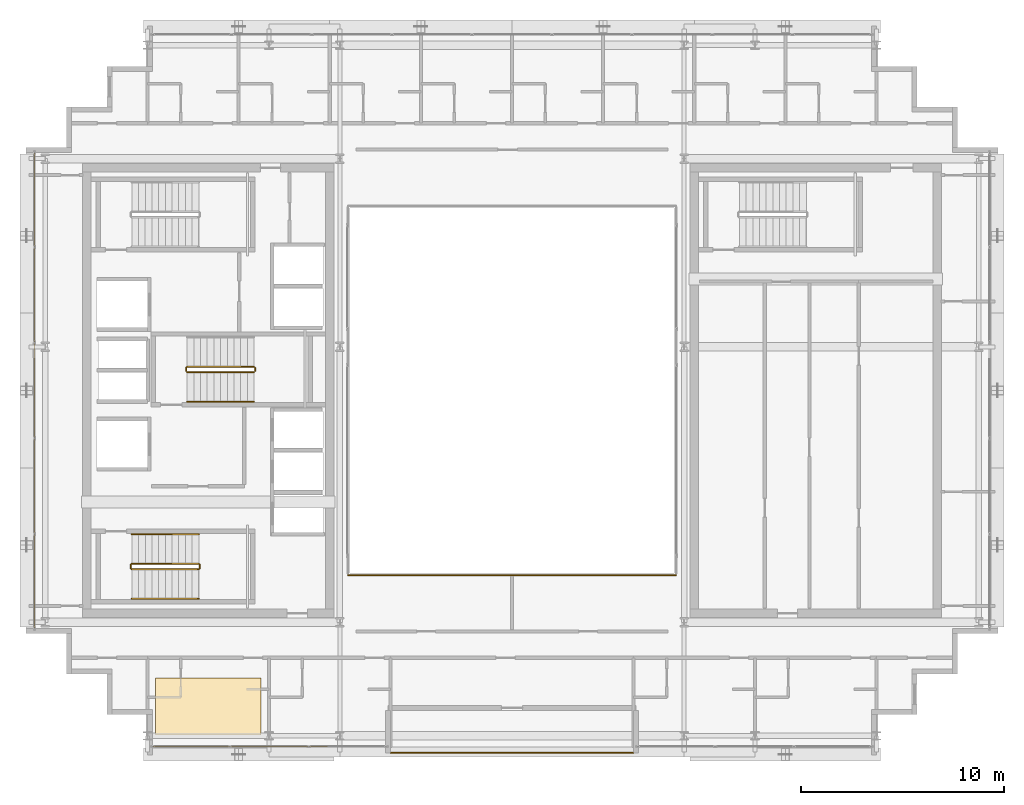
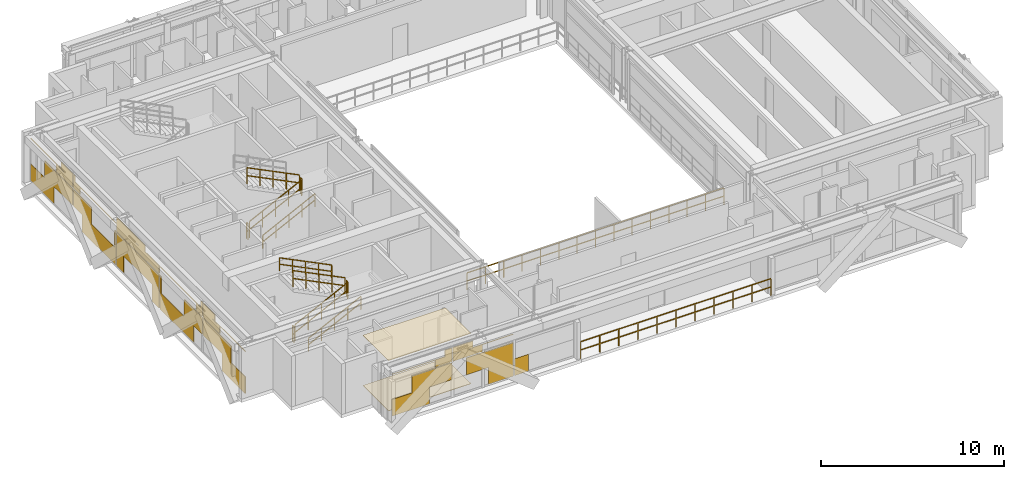
# One storey, part 26 of 29: 13 railings, 4 coverings.
"""IFC4 building model written with IfcOpenShell, lengths in metres."""

from ifc_helpers import new_model, si_unit, direction, frame, origin, origin_2d, place, context, subcontext, project, spatial, polyline, rectangle, outline, extrude, material, layer, layer_set, type_object, element, save


model = new_model("IFC4")

# Units and contexts
model_context = context("Model", 3, precision=1e-05, world=origin(), true_north=direction((0.0, 1.0)))
body_context = subcontext(model_context, "Body", "Model", "MODEL_VIEW")
ifc_project = project(units=[si_unit("LENGTHUNIT", "METRE"), si_unit("AREAUNIT", "SQUARE_METRE"), si_unit("VOLUMEUNIT", "CUBIC_METRE"), si_unit("PLANEANGLEUNIT", "RADIAN"), si_unit("MASSUNIT", "GRAM", prefix="KILO")], contexts=[model_context])

# Site, building, storey
site_placement = place(None, origin())
site = spatial("IfcSite", under=ifc_project, at=site_placement, CompositionType="ELEMENT")
building_placement = place(site_placement, origin())
building = spatial("IfcBuilding", under=site, at=building_placement, Name="Ocotamira Hotel", CompositionType="ELEMENT")
storey_placement = place(building_placement, frame((0.0, 0.0, 236.39990234375)))
storey = spatial("IfcBuildingStorey", under=building, at=storey_placement, Name="L59", CompositionType="ELEMENT", Elevation=236.39990234375)

# Coverings
ifc_material_1 = material(Name="Perforated acoustic gypsum ceiling board", Category="gypsum")
ifc_layer_1 = layer(ifc_material_1, 0.02490234375)
ifc_layer_set_1 = layer_set([ifc_layer_1], Name="Perforated acoustic gypsum ceiling board")
covering_type_1 = type_object("IfcCoveringType", Name="COV-CEIL-25", PredefinedType="CEILING", material=ifc_layer_set_1)
covering_1_placement = place(storey_placement, frame((0.0, 0.0, 3.35498046875)))
element("IfcCovering", 1, at=covering_1_placement, inside=storey, type_object=covering_type_1, Name="L59 Acoustic Ceiling", PredefinedType="CEILING", context=body_context, shape_type="SweptSolid", body=[
    extrude(outline(polyline([(14.39990234375, 9.0), (19.60009765625, 9.0), (19.60009765625, 11.800048828125), (14.39990234375, 11.800048828125), (14.39990234375, 9.0)])), origin(), (0.0, 0.0, 1.0), 0.025146484375),
])
ifc_material_2 = material(Name="Honed desert travertine stone flooring", Category="masonry")
ifc_layer_2 = layer(ifc_material_2, 0.030029296875)
ifc_layer_set_2 = layer_set([ifc_layer_2], Name="Honed desert travertine stone flooring")
covering_type_2 = type_object("IfcCoveringType", Name="COV-FLOR-30", PredefinedType="FLOORING", material=ifc_layer_set_2)
covering_2_placement = place(storey_placement, origin())
element("IfcCovering", 2, at=covering_2_placement, inside=storey, type_object=covering_type_2, Name="L59 Honed Stone Floor Finish", PredefinedType="FLOORING", context=body_context, shape_type="SweptSolid", body=[
    extrude(outline(polyline([(14.39990234375, 9.0), (19.60009765625, 9.0), (19.60009765625, 11.800048828125), (14.39990234375, 11.800048828125), (14.39990234375, 9.0)])), origin(), (0.0, 0.0, 1.0), 0.030029296875),
])
ifc_material_3 = material(Name="Insulated pale-metal aluminium spandrel panel", Category="aluminium")
ifc_layer_3 = layer(ifc_material_3, 0.044921875)
ifc_layer_set_3 = layer_set([ifc_layer_3], Name="Insulated pale-metal aluminium spandrel panel")
covering_type_3 = type_object("IfcCoveringType", Name="COV-INFILL-45", PredefinedType="CLADDING", material=ifc_layer_set_3)
covering_3_placement = place(storey_placement, origin())
element("IfcCovering", 3, at=covering_3_placement, inside=storey, type_object=covering_type_3, Name="L59 Curtain Wall Infill CW-5 CW-L59-S1", PredefinedType="CLADDING", context=body_context, shape_type="SweptSolid", body=[
    extrude(rectangle(XDim=2.35888671875, YDim=0.044921875, at=origin_2d()), frame((15.4599609375, 8.419921875, 0.07568359375), z_axis=(0.0, 0.0, 1.0), x_axis=(1.0, 0.0, 0.0)), (0.0, 0.0, 1.0), 1.117919921875),
    extrude(rectangle(XDim=2.52294921875, YDim=0.044921875, at=origin_2d()), frame((16.781494140625, 8.419921875, 1.1943359375), z_axis=(0.0, 0.0, 1.0), x_axis=(1.0, 0.0, 0.0)), (0.0, 0.0, 1.0), 1.117919921875),
    extrude(rectangle(XDim=3.76220703125, YDim=0.044921875, at=origin_2d()), frame((16.16162109375, 8.419921875, 2.841552734375), z_axis=(0.0, 0.0, 1.0), x_axis=(1.0, 0.0, 0.0)), (0.0, 0.0, 1.0), 0.0302734375),
    extrude(rectangle(XDim=1.03076171875, YDim=0.044921875, at=origin_2d()), frame((17.527587890625, 8.419921875, 2.38818359375), z_axis=(0.0, 0.0, 1.0), x_axis=(1.0, 0.0, 0.0)), (0.0, 0.0, 1.0), 0.45263671875),
    extrude(rectangle(XDim=0.4248046875, YDim=0.044921875, at=origin_2d()), frame((17.83056640625, 8.419921875, 2.873046875), z_axis=(0.0, 0.0, 1.0), x_axis=(1.0, 0.0, 0.0)), (0.0, 0.0, 1.0), 0.431640625),
    extrude(rectangle(XDim=2.964111328125, YDim=0.044921875, at=origin_2d()), frame((20.444091796875, 8.419921875, 1.1943359375), z_axis=(0.0, 0.0, 1.0), x_axis=(1.0, 0.0, 0.0)), (0.0, 0.0, 1.0), 1.117919921875),
    extrude(rectangle(XDim=1.565673828125, YDim=0.044921875, at=origin_2d()), frame((21.143310546875, 8.419921875, 0.07568359375), z_axis=(0.0, 0.0, 1.0), x_axis=(1.0, 0.0, 0.0)), (0.0, 0.0, 1.0), 1.117919921875),
    extrude(rectangle(XDim=1.864013671875, YDim=0.044921875, at=origin_2d()), frame((19.055908203125, 8.419921875, 2.38818359375), z_axis=(0.0, 0.0, 1.0), x_axis=(1.0, 0.0, 0.0)), (0.0, 0.0, 1.0), 0.45263671875),
    extrude(rectangle(XDim=3.80224609375, YDim=0.044921875, at=origin_2d()), frame((20.02490234375, 8.419921875, 2.841552734375), z_axis=(0.0, 0.0, 1.0), x_axis=(1.0, 0.0, 0.0)), (0.0, 0.0, 1.0), 0.0302734375),
    extrude(rectangle(XDim=1.258056640625, YDim=0.044921875, at=origin_2d()), frame((18.7529296875, 8.419921875, 2.873046875), z_axis=(0.0, 0.0, 1.0), x_axis=(1.0, 0.0, 0.0)), (0.0, 0.0, 1.0), 0.431640625),
    extrude(rectangle(XDim=0.871337890625, YDim=0.044921875, at=origin_2d()), frame((22.44287109375, 8.419921875, 0.07568359375), z_axis=(0.0, 0.0, 1.0), x_axis=(1.0, 0.0, 0.0)), (0.0, 0.0, 1.0), 1.117919921875),
])
covering_4_placement = place(storey_placement, origin())
element("IfcCovering", 4, at=covering_4_placement, inside=storey, type_object=covering_type_3, Name="L59 Curtain Wall Infill CW-5 CW-L59-W", PredefinedType="CLADDING", context=body_context, shape_type="SweptSolid", body=[
    extrude(rectangle(XDim=2.54296875, YDim=0.044921875, at=origin_2d()), frame((8.419921875, 15.552001953125, 0.07568359375), z_axis=(0.0, 0.0, 1.0), x_axis=(0.0, 1.0, 0.0)), (0.0, 0.0, 1.0), 1.117919921875),
    extrude(rectangle(XDim=3.0751953125, YDim=0.044921875, at=origin_2d()), frame((8.419921875, 17.341796875, 1.1943359375), z_axis=(0.0, 0.0, 1.0), x_axis=(0.0, 1.0, 0.0)), (0.0, 0.0, 1.0), 1.117919921875),
    extrude(rectangle(XDim=4.59912109375, YDim=0.044921875, at=origin_2d()), frame((8.419921875, 16.580078125, 2.85888671875), z_axis=(0.0, 0.0, 1.0), x_axis=(0.0, 1.0, 0.0)), (0.0, 0.0, 1.0), 0.033203125),
    extrude(rectangle(XDim=1.809814453125, YDim=0.044921875, at=origin_2d()), frame((8.419921875, 17.974609375, 2.38818359375), z_axis=(0.0, 0.0, 1.0), x_axis=(0.0, 1.0, 0.0)), (0.0, 0.0, 1.0), 0.4697265625),
    extrude(rectangle(XDim=1.274169921875, YDim=0.044921875, at=origin_2d()), frame((8.419921875, 18.242431640625, 2.89306640625), z_axis=(0.0, 0.0, 1.0), x_axis=(0.0, 1.0, 0.0)), (0.0, 0.0, 1.0), 0.41162109375),
    extrude(rectangle(XDim=1.968505859375, YDim=0.044921875, at=origin_2d()), frame((8.419921875, 19.944580078125, 1.1943359375), z_axis=(0.0, 0.0, 1.0), x_axis=(0.0, 1.0, 0.0)), (0.0, 0.0, 1.0), 1.117919921875),
    extrude(rectangle(XDim=3.689697265625, YDim=0.044921875, at=origin_2d()), frame((8.419921875, 21.754638671875, 0.07568359375), z_axis=(0.0, 0.0, 1.0), x_axis=(0.0, 1.0, 0.0)), (0.0, 0.0, 1.0), 1.117919921875),
    extrude(rectangle(XDim=0.161865234375, YDim=0.044921875, at=origin_2d()), frame((8.419921875, 23.5185546875, 1.1943359375), z_axis=(0.0, 0.0, 1.0), x_axis=(0.0, 1.0, 0.0)), (0.0, 0.0, 1.0), 1.117919921875),
    extrude(rectangle(XDim=0.702880859375, YDim=0.044921875, at=origin_2d()), frame((8.419921875, 19.31201171875, 2.38818359375), z_axis=(0.0, 0.0, 1.0), x_axis=(0.0, 1.0, 0.0)), (0.0, 0.0, 1.0), 0.4697265625),
    extrude(rectangle(XDim=4.638916015625, YDim=0.044921875, at=origin_2d()), frame((8.419921875, 21.280029296875, 2.85888671875), z_axis=(0.0, 0.0, 1.0), x_axis=(0.0, 1.0, 0.0)), (0.0, 0.0, 1.0), 0.033203125),
    extrude(rectangle(XDim=0.16748046875, YDim=0.044921875, at=origin_2d()), frame((8.419921875, 19.044189453125, 2.89306640625), z_axis=(0.0, 0.0, 1.0), x_axis=(0.0, 1.0, 0.0)), (0.0, 0.0, 1.0), 0.41162109375),
    extrude(rectangle(XDim=0.7763671875, YDim=0.044921875, at=origin_2d()), frame((8.419921875, 24.068603515625, 0.07568359375), z_axis=(0.0, 0.0, 1.0), x_axis=(0.0, 1.0, 0.0)), (0.0, 0.0, 1.0), 1.117919921875),
    extrude(rectangle(XDim=4.638916015625, YDim=0.044921875, at=origin_2d()), frame((8.419921875, 26.0, 1.1943359375), z_axis=(0.0, 0.0, 1.0), x_axis=(0.0, 1.0, 0.0)), (0.0, 0.0, 1.0), 1.117919921875),
    extrude(rectangle(XDim=0.7763671875, YDim=0.044921875, at=origin_2d()), frame((8.419921875, 27.931396484375, 0.07568359375), z_axis=(0.0, 0.0, 1.0), x_axis=(0.0, 1.0, 0.0)), (0.0, 0.0, 1.0), 1.117919921875),
    extrude(rectangle(XDim=4.638916015625, YDim=0.044921875, at=origin_2d()), frame((8.419921875, 26.0, 2.38818359375), z_axis=(0.0, 0.0, 1.0), x_axis=(0.0, 1.0, 0.0)), (0.0, 0.0, 1.0), 0.50390625),
    extrude(rectangle(XDim=3.080810546875, YDim=0.044921875, at=origin_2d()), frame((8.419921875, 26.779052734375, 2.89306640625), z_axis=(0.0, 0.0, 1.0), x_axis=(0.0, 1.0, 0.0)), (0.0, 0.0, 1.0), 0.41162109375),
    extrude(rectangle(XDim=3.689697265625, YDim=0.044921875, at=origin_2d()), frame((8.419921875, 30.245361328125, 0.07568359375), z_axis=(0.0, 0.0, 1.0), x_axis=(0.0, 1.0, 0.0)), (0.0, 0.0, 1.0), 1.117919921875),
    extrude(rectangle(XDim=0.161865234375, YDim=0.044921875, at=origin_2d()), frame((8.419921875, 28.4814453125, 1.1943359375), z_axis=(0.0, 0.0, 1.0), x_axis=(0.0, 1.0, 0.0)), (0.0, 0.0, 1.0), 1.117919921875),
    extrude(rectangle(XDim=1.968505859375, YDim=0.044921875, at=origin_2d()), frame((8.419921875, 32.055419921875, 1.1943359375), z_axis=(0.0, 0.0, 1.0), x_axis=(0.0, 1.0, 0.0)), (0.0, 0.0, 1.0), 1.117919921875),
    extrude(rectangle(XDim=4.638916015625, YDim=0.044921875, at=origin_2d()), frame((8.419921875, 30.719970703125, 2.85888671875), z_axis=(0.0, 0.0, 1.0), x_axis=(0.0, 1.0, 0.0)), (0.0, 0.0, 1.0), 0.033203125),
    extrude(rectangle(XDim=0.702880859375, YDim=0.044921875, at=origin_2d()), frame((8.419921875, 32.68798828125, 2.38818359375), z_axis=(0.0, 0.0, 1.0), x_axis=(0.0, 1.0, 0.0)), (0.0, 0.0, 1.0), 0.4697265625),
    extrude(rectangle(XDim=0.16748046875, YDim=0.044921875, at=origin_2d()), frame((8.419921875, 32.955810546875, 2.89306640625), z_axis=(0.0, 0.0, 1.0), x_axis=(0.0, 1.0, 0.0)), (0.0, 0.0, 1.0), 0.41162109375),
    extrude(rectangle(XDim=3.0751953125, YDim=0.044921875, at=origin_2d()), frame((8.419921875, 34.658203125, 1.1943359375), z_axis=(0.0, 0.0, 1.0), x_axis=(0.0, 1.0, 0.0)), (0.0, 0.0, 1.0), 1.117919921875),
    extrude(rectangle(XDim=2.54296875, YDim=0.044921875, at=origin_2d()), frame((8.419921875, 36.447998046875, 0.07568359375), z_axis=(0.0, 0.0, 1.0), x_axis=(0.0, 1.0, 0.0)), (0.0, 0.0, 1.0), 1.117919921875),
    extrude(rectangle(XDim=1.809814453125, YDim=0.044921875, at=origin_2d()), frame((8.419921875, 34.025390625, 2.38818359375), z_axis=(0.0, 0.0, 1.0), x_axis=(0.0, 1.0, 0.0)), (0.0, 0.0, 1.0), 0.4697265625),
    extrude(rectangle(XDim=4.59912109375, YDim=0.044921875, at=origin_2d()), frame((8.419921875, 35.419921875, 2.85888671875), z_axis=(0.0, 0.0, 1.0), x_axis=(0.0, 1.0, 0.0)), (0.0, 0.0, 1.0), 0.033203125),
    extrude(rectangle(XDim=1.274169921875, YDim=0.044921875, at=origin_2d()), frame((8.419921875, 33.757568359375, 2.89306640625), z_axis=(0.0, 0.0, 1.0), x_axis=(0.0, 1.0, 0.0)), (0.0, 0.0, 1.0), 0.41162109375),
])

# Railings
ifc_material_4 = material(Name="Laminated glass and pale-metal balustrade", Category="glass")
railing_type_1 = type_object("IfcRailingType", Name="RL-BAL-1150", PredefinedType="BALUSTRADE", material=ifc_material_4)
railing_1_placement = place(storey_placement, frame((26.0, 8.10009765625, 0.0)))
element("IfcRailing", 5, at=railing_1_placement, inside=storey, type_object=railing_type_1, Name="L59 Sky Terrace Balustrade 1", PredefinedType="BALUSTRADE", context=body_context, shape_type="SweptSolid", body=[
    extrude(rectangle(XDim=0.048095703125, YDim=0.048095703125, at=origin_2d()), frame((0.0, 0.0, 1.1259765625), z_axis=(1.0, 0.0, 0.0), x_axis=(0.0, 1.0, 0.0)), (0.0, 0.0, 1.0), 12.0),
    extrude(rectangle(XDim=0.048095703125, YDim=0.048095703125, at=origin_2d()), frame((0.0, 0.0, 0.574951171875), z_axis=(1.0, 0.0, 0.0), x_axis=(0.0, 1.0, 0.0)), (0.0, 0.0, 1.0), 12.0),
    extrude(rectangle(XDim=0.0419921875, YDim=0.0419921875, at=origin_2d()), origin(), (0.0, 0.0, 1.0), 1.101806640625),
    extrude(rectangle(XDim=0.0419921875, YDim=0.0419921875, at=origin_2d()), frame((1.199951171875, 0.0, 0.0)), (0.0, 0.0, 1.0), 1.101806640625),
    extrude(rectangle(XDim=0.0419921875, YDim=0.0419921875, at=origin_2d()), frame((2.39990234375, 0.0, 0.0)), (0.0, 0.0, 1.0), 1.101806640625),
    extrude(rectangle(XDim=0.0419921875, YDim=0.0419921875, at=origin_2d()), frame((3.60009765625, 0.0, 0.0)), (0.0, 0.0, 1.0), 1.101806640625),
    extrude(rectangle(XDim=0.0419921875, YDim=0.0419921875, at=origin_2d()), frame((4.800048828125, 0.0, 0.0)), (0.0, 0.0, 1.0), 1.101806640625),
    extrude(rectangle(XDim=0.0419921875, YDim=0.0419921875, at=origin_2d()), frame((6.0, 0.0, 0.0)), (0.0, 0.0, 1.0), 1.101806640625),
    extrude(rectangle(XDim=0.0419921875, YDim=0.0419921875, at=origin_2d()), frame((7.199951171875, 0.0, 0.0)), (0.0, 0.0, 1.0), 1.101806640625),
    extrude(rectangle(XDim=0.0419921875, YDim=0.0419921875, at=origin_2d()), frame((8.39990234375, 0.0, 0.0)), (0.0, 0.0, 1.0), 1.101806640625),
    extrude(rectangle(XDim=0.0419921875, YDim=0.0419921875, at=origin_2d()), frame((9.60009765625, 0.0, 0.0)), (0.0, 0.0, 1.0), 1.101806640625),
    extrude(rectangle(XDim=0.0419921875, YDim=0.0419921875, at=origin_2d()), frame((10.800048828125, 0.0, 0.0)), (0.0, 0.0, 1.0), 1.101806640625),
    extrude(rectangle(XDim=0.0419921875, YDim=0.0419921875, at=origin_2d()), frame((12.0, 0.0, 0.0)), (0.0, 0.0, 1.0), 1.101806640625),
])
ifc_material_5 = material(Name="Painted steel stair guardrail", Category="steel")
railing_type_2 = type_object("IfcRailingType", Name="RL-EDGE-1150", PredefinedType="GUARDRAIL", material=ifc_material_5)
railing_2_placement = place(storey_placement, frame((23.89990234375, 16.8798828125, 0.0)))
element("IfcRailing", 6, at=railing_2_placement, inside=storey, type_object=railing_type_2, Name="L59 Central Atrium Edge Guardrail S", PredefinedType="GUARDRAIL", context=body_context, shape_type="SweptSolid", body=[
    extrude(rectangle(XDim=0.048095703125, YDim=0.048095703125, at=origin_2d()), frame((0.0, 0.0, 1.1259765625), z_axis=(1.0, 0.0, 0.0), x_axis=(0.0, 1.0, 0.0)), (0.0, 0.0, 1.0), 16.2001953125),
    extrude(rectangle(XDim=0.048095703125, YDim=0.048095703125, at=origin_2d()), frame((0.0, 0.0, 0.574951171875), z_axis=(1.0, 0.0, 0.0), x_axis=(0.0, 1.0, 0.0)), (0.0, 0.0, 1.0), 16.2001953125),
    extrude(rectangle(XDim=0.0419921875, YDim=0.0419921875, at=origin_2d()), origin(), (0.0, 0.0, 1.0), 1.101806640625),
    extrude(rectangle(XDim=0.0419921875, YDim=0.0419921875, at=origin_2d()), frame((1.1572265625, 0.0, 0.0)), (0.0, 0.0, 1.0), 1.101806640625),
    extrude(rectangle(XDim=0.0419921875, YDim=0.0419921875, at=origin_2d()), frame((2.314208984375, 0.0, 0.0)), (0.0, 0.0, 1.0), 1.101806640625),
    extrude(rectangle(XDim=0.0419921875, YDim=0.0419921875, at=origin_2d()), frame((3.471435546875, 0.0, 0.0)), (0.0, 0.0, 1.0), 1.101806640625),
    extrude(rectangle(XDim=0.0419921875, YDim=0.0419921875, at=origin_2d()), frame((4.628662109375, 0.0, 0.0)), (0.0, 0.0, 1.0), 1.101806640625),
    extrude(rectangle(XDim=0.0419921875, YDim=0.0419921875, at=origin_2d()), frame((5.785888671875, 0.0, 0.0)), (0.0, 0.0, 1.0), 1.101806640625),
    extrude(rectangle(XDim=0.0419921875, YDim=0.0419921875, at=origin_2d()), frame((6.94287109375, 0.0, 0.0)), (0.0, 0.0, 1.0), 1.101806640625),
    extrude(rectangle(XDim=0.0419921875, YDim=0.0419921875, at=origin_2d()), frame((8.10009765625, 0.0, 0.0)), (0.0, 0.0, 1.0), 1.101806640625),
    extrude(rectangle(XDim=0.0419921875, YDim=0.0419921875, at=origin_2d()), frame((9.25732421875, 0.0, 0.0)), (0.0, 0.0, 1.0), 1.101806640625),
    extrude(rectangle(XDim=0.0419921875, YDim=0.0419921875, at=origin_2d()), frame((10.414306640625, 0.0, 0.0)), (0.0, 0.0, 1.0), 1.101806640625),
    extrude(rectangle(XDim=0.0419921875, YDim=0.0419921875, at=origin_2d()), frame((11.571533203125, 0.0, 0.0)), (0.0, 0.0, 1.0), 1.101806640625),
    extrude(rectangle(XDim=0.0419921875, YDim=0.0419921875, at=origin_2d()), frame((12.728759765625, 0.0, 0.0)), (0.0, 0.0, 1.0), 1.101806640625),
    extrude(rectangle(XDim=0.0419921875, YDim=0.0419921875, at=origin_2d()), frame((13.885986328125, 0.0, 0.0)), (0.0, 0.0, 1.0), 1.101806640625),
    extrude(rectangle(XDim=0.0419921875, YDim=0.0419921875, at=origin_2d()), frame((15.04296875, 0.0, 0.0)), (0.0, 0.0, 1.0), 1.101806640625),
    extrude(rectangle(XDim=0.0419921875, YDim=0.0419921875, at=origin_2d()), frame((16.2001953125, 0.0, 0.0)), (0.0, 0.0, 1.0), 1.101806640625),
])
ifc_material_6 = material(Name="Brushed stainless steel handrail", Category="steel")
railing_type_3 = type_object("IfcRailingType", Name="RL-HAND-900", PredefinedType="HANDRAIL", material=ifc_material_6)
railing_3_placement = place(storey_placement, frame((13.22998046875, 15.719970703125, 0.327392578125)))
element("IfcRailing", 7, at=railing_3_placement, inside=storey, type_object=railing_type_3, Name="L59 ST-1 stair handrail 1", PredefinedType="HANDRAIL", context=body_context, shape_type="SweptSolid", body=[
    extrude(rectangle(XDim=0.048095703125, YDim=0.048095703125, at=origin_2d()), frame((0.0, 0.0, 0.8759765625), z_axis=(0.895920123917, 0.0, 0.444215186098), x_axis=(0.0, 1.0, 0.0)), (0.0, 0.0, 1.0), 3.683349609375),
    extrude(rectangle(XDim=0.048095703125, YDim=0.048095703125, at=origin_2d()), frame((0.0, 0.0, 0.449951171875), z_axis=(0.895920123917, 0.0, 0.444215186098), x_axis=(0.0, 1.0, 0.0)), (0.0, 0.0, 1.0), 3.683349609375),
    extrude(rectangle(XDim=0.0419921875, YDim=0.0419921875, at=origin_2d()), origin(), (0.0, 0.0, 1.0), 0.851806640625),
    extrude(rectangle(XDim=0.0419921875, YDim=0.0419921875, at=origin_2d()), frame((0.824951171875, 0.0, 0.4091796875)), (0.0, 0.0, 1.0), 0.851806640625),
    extrude(rectangle(XDim=0.0419921875, YDim=0.0419921875, at=origin_2d()), frame((1.64990234375, 0.0, 0.818115234375)), (0.0, 0.0, 1.0), 0.851806640625),
    extrude(rectangle(XDim=0.0419921875, YDim=0.0419921875, at=origin_2d()), frame((2.47509765625, 0.0, 1.22705078125)), (0.0, 0.0, 1.0), 0.851806640625),
    extrude(rectangle(XDim=0.0419921875, YDim=0.0419921875, at=origin_2d()), frame((3.300048828125, 0.0, 1.63623046875)), (0.0, 0.0, 1.0), 0.851806640625),
])
railing_4_placement = place(storey_placement, frame((16.530029296875, 18.89990234375, 2.12744140625)))
element("IfcRailing", 8, at=railing_4_placement, inside=storey, type_object=railing_type_3, Name="L59 ST-1 stair handrail 2", PredefinedType="HANDRAIL", context=body_context, shape_type="SweptSolid", body=[
    extrude(rectangle(XDim=0.048095703125, YDim=0.048095703125, at=origin_2d()), frame((0.0, 0.0, 0.8759765625), z_axis=(-0.895920123917, 0.0, 0.444215186098), x_axis=(0.0, -1.0, 0.0)), (0.0, 0.0, 1.0), 3.683349609375),
    extrude(rectangle(XDim=0.048095703125, YDim=0.048095703125, at=origin_2d()), frame((0.0, 0.0, 0.449951171875), z_axis=(-0.895920123917, 0.0, 0.444215186098), x_axis=(0.0, -1.0, 0.0)), (0.0, 0.0, 1.0), 3.683349609375),
    extrude(rectangle(XDim=0.0419921875, YDim=0.0419921875, at=origin_2d()), origin(), (0.0, 0.0, 1.0), 0.851806640625),
    extrude(rectangle(XDim=0.0419921875, YDim=0.0419921875, at=origin_2d()), frame((-0.824951171875, 0.0, 0.4091796875)), (0.0, 0.0, 1.0), 0.851806640625),
    extrude(rectangle(XDim=0.0419921875, YDim=0.0419921875, at=origin_2d()), frame((-1.64990234375, 0.0, 0.818115234375)), (0.0, 0.0, 1.0), 0.851806640625),
    extrude(rectangle(XDim=0.0419921875, YDim=0.0419921875, at=origin_2d()), frame((-2.47509765625, 0.0, 1.22705078125)), (0.0, 0.0, 1.0), 0.851806640625),
    extrude(rectangle(XDim=0.0419921875, YDim=0.0419921875, at=origin_2d()), frame((-3.300048828125, 0.0, 1.63623046875)), (0.0, 0.0, 1.0), 0.851806640625),
])
railing_5_placement = place(storey_placement, frame((15.9599609375, 25.449951171875, 0.327392578125)))
element("IfcRailing", 9, at=railing_5_placement, inside=storey, type_object=railing_type_3, Name="L59 ST-3 stair handrail 1", PredefinedType="HANDRAIL", context=body_context, shape_type="SweptSolid", body=[
    extrude(rectangle(XDim=0.048095703125, YDim=0.048095703125, at=origin_2d()), frame((0.0, 0.0, 0.8759765625), z_axis=(0.895920123917, 0.0, 0.444215186098), x_axis=(0.0, 1.0, 0.0)), (0.0, 0.0, 1.0), 3.683349609375),
    extrude(rectangle(XDim=0.048095703125, YDim=0.048095703125, at=origin_2d()), frame((0.0, 0.0, 0.449951171875), z_axis=(0.895920123917, 0.0, 0.444215186098), x_axis=(0.0, 1.0, 0.0)), (0.0, 0.0, 1.0), 3.683349609375),
    extrude(rectangle(XDim=0.0419921875, YDim=0.0419921875, at=origin_2d()), origin(), (0.0, 0.0, 1.0), 0.851806640625),
    extrude(rectangle(XDim=0.0419921875, YDim=0.0419921875, at=origin_2d()), frame((0.824951171875, 0.0, 0.4091796875)), (0.0, 0.0, 1.0), 0.851806640625),
    extrude(rectangle(XDim=0.0419921875, YDim=0.0419921875, at=origin_2d()), frame((1.64990234375, 0.0, 0.818115234375)), (0.0, 0.0, 1.0), 0.851806640625),
    extrude(rectangle(XDim=0.0419921875, YDim=0.0419921875, at=origin_2d()), frame((2.47509765625, 0.0, 1.22705078125)), (0.0, 0.0, 1.0), 0.851806640625),
    extrude(rectangle(XDim=0.0419921875, YDim=0.0419921875, at=origin_2d()), frame((3.300048828125, 0.0, 1.63623046875)), (0.0, 0.0, 1.0), 0.851806640625),
])
railing_type_4 = type_object("IfcRailingType", Name="RL-STAIR-1100", PredefinedType="GUARDRAIL", material=ifc_material_5)
railing_6_placement = place(storey_placement, frame((13.22998046875, 17.179931640625, 0.163818359375)))
element("IfcRailing", 10, at=railing_6_placement, inside=storey, type_object=railing_type_4, Name="L59 ST-1 stair guard 1", PredefinedType="GUARDRAIL", context=body_context, shape_type="SweptSolid", body=[
    extrude(rectangle(XDim=0.048095703125, YDim=0.048095703125, at=origin_2d()), frame((0.0, 0.0, 1.076171875), z_axis=(0.895920123917, 0.0, 0.444215186098), x_axis=(0.0, 1.0, 0.0)), (0.0, 0.0, 1.0), 3.683349609375),
    extrude(rectangle(XDim=0.048095703125, YDim=0.048095703125, at=origin_2d()), frame((0.0, 0.0, 0.550048828125), z_axis=(0.895920123917, 0.0, 0.444215186098), x_axis=(0.0, 1.0, 0.0)), (0.0, 0.0, 1.0), 3.683349609375),
    extrude(rectangle(XDim=0.0419921875, YDim=0.0419921875, at=origin_2d()), origin(), (0.0, 0.0, 1.0), 1.052001953125),
    extrude(rectangle(XDim=0.0419921875, YDim=0.0419921875, at=origin_2d()), frame((0.824951171875, 0.0, 0.4091796875)), (0.0, 0.0, 1.0), 1.052001953125),
    extrude(rectangle(XDim=0.0419921875, YDim=0.0419921875, at=origin_2d()), frame((1.64990234375, 0.0, 0.818115234375)), (0.0, 0.0, 1.0), 1.052001953125),
    extrude(rectangle(XDim=0.0419921875, YDim=0.0419921875, at=origin_2d()), frame((2.47509765625, 0.0, 1.22705078125)), (0.0, 0.0, 1.0), 1.052001953125),
    extrude(rectangle(XDim=0.0419921875, YDim=0.0419921875, at=origin_2d()), frame((3.300048828125, 0.0, 1.63623046875)), (0.0, 0.0, 1.0), 1.052001953125),
])
railing_7_placement = place(storey_placement, frame((16.580078125, 17.22998046875, 1.800048828125)))
element("IfcRailing", 11, at=railing_7_placement, inside=storey, type_object=railing_type_4, Name="L59 ST-1 stair guard 2", PredefinedType="GUARDRAIL", context=body_context, shape_type="SweptSolid", body=[
    extrude(rectangle(XDim=0.048095703125, YDim=0.048095703125, at=origin_2d()), frame((0.0, 0.0, 1.076171875), z_axis=(0.0, 1.0, 0.0), x_axis=(-1.0, 0.0, 0.0)), (0.0, 0.0, 1.0), 0.159912109375),
    extrude(rectangle(XDim=0.048095703125, YDim=0.048095703125, at=origin_2d()), frame((0.0, 0.0, 0.550048828125), z_axis=(0.0, 1.0, 0.0), x_axis=(-1.0, 0.0, 0.0)), (0.0, 0.0, 1.0), 0.159912109375),
    extrude(rectangle(XDim=0.0419921875, YDim=0.0419921875, at=origin_2d()), origin(), (0.0, 0.0, 1.0), 1.052001953125),
    extrude(rectangle(XDim=0.0419921875, YDim=0.0419921875, at=origin_2d()), frame((0.0, 0.159912109375, 0.0)), (0.0, 0.0, 1.0), 1.052001953125),
])
railing_8_placement = place(storey_placement, frame((16.530029296875, 17.43994140625, 1.963623046875)))
element("IfcRailing", 12, at=railing_8_placement, inside=storey, type_object=railing_type_4, Name="L59 ST-1 stair guard 3", PredefinedType="GUARDRAIL", context=body_context, shape_type="SweptSolid", body=[
    extrude(rectangle(XDim=0.048095703125, YDim=0.048095703125, at=origin_2d()), frame((0.0, 0.0, 1.076171875), z_axis=(-0.895893744519, 0.0, 0.4442683857), x_axis=(0.0, -1.0, 0.0)), (0.0, 0.0, 1.0), 3.68359375),
    extrude(rectangle(XDim=0.048095703125, YDim=0.048095703125, at=origin_2d()), frame((0.0, 0.0, 0.550048828125), z_axis=(-0.895893744519, 0.0, 0.4442683857), x_axis=(0.0, -1.0, 0.0)), (0.0, 0.0, 1.0), 3.68359375),
    extrude(rectangle(XDim=0.0419921875, YDim=0.0419921875, at=origin_2d()), origin(), (0.0, 0.0, 1.0), 1.052001953125),
    extrude(rectangle(XDim=0.0419921875, YDim=0.0419921875, at=origin_2d()), frame((-0.824951171875, 0.0, 0.4091796875)), (0.0, 0.0, 1.0), 1.052001953125),
    extrude(rectangle(XDim=0.0419921875, YDim=0.0419921875, at=origin_2d()), frame((-1.64990234375, 0.0, 0.818359375)), (0.0, 0.0, 1.0), 1.052001953125),
    extrude(rectangle(XDim=0.0419921875, YDim=0.0419921875, at=origin_2d()), frame((-2.47509765625, 0.0, 1.227294921875)), (0.0, 0.0, 1.0), 1.052001953125),
    extrude(rectangle(XDim=0.0419921875, YDim=0.0419921875, at=origin_2d()), frame((-3.300048828125, 0.0, 1.636474609375)), (0.0, 0.0, 1.0), 1.052001953125),
])
railing_9_placement = place(storey_placement, frame((13.179931640625, 17.22998046875, 0.0)))
element("IfcRailing", 13, at=railing_9_placement, inside=storey, type_object=railing_type_4, Name="L59 ST-1 stair guard 4", PredefinedType="GUARDRAIL", context=body_context, shape_type="SweptSolid", body=[
    extrude(rectangle(XDim=0.048095703125, YDim=0.048095703125, at=origin_2d()), frame((0.0, 0.0, 1.076171875), z_axis=(0.0, 1.0, 0.0), x_axis=(-1.0, 0.0, 0.0)), (0.0, 0.0, 1.0), 0.159912109375),
    extrude(rectangle(XDim=0.048095703125, YDim=0.048095703125, at=origin_2d()), frame((0.0, 0.0, 0.550048828125), z_axis=(0.0, 1.0, 0.0), x_axis=(-1.0, 0.0, 0.0)), (0.0, 0.0, 1.0), 0.159912109375),
    extrude(rectangle(XDim=0.0419921875, YDim=0.0419921875, at=origin_2d()), origin(), (0.0, 0.0, 1.0), 1.052001953125),
    extrude(rectangle(XDim=0.0419921875, YDim=0.0419921875, at=origin_2d()), frame((0.0, 0.159912109375, 0.0)), (0.0, 0.0, 1.0), 1.052001953125),
])
railing_10_placement = place(storey_placement, frame((15.9599609375, 26.909912109375, 0.163818359375)))
element("IfcRailing", 14, at=railing_10_placement, inside=storey, type_object=railing_type_4, Name="L59 ST-3 stair guard 1", PredefinedType="GUARDRAIL", context=body_context, shape_type="SweptSolid", body=[
    extrude(rectangle(XDim=0.048095703125, YDim=0.048095703125, at=origin_2d()), frame((0.0, 0.0, 1.076171875), z_axis=(0.895920123917, 0.0, 0.444215186098), x_axis=(0.0, 1.0, 0.0)), (0.0, 0.0, 1.0), 3.683349609375),
    extrude(rectangle(XDim=0.048095703125, YDim=0.048095703125, at=origin_2d()), frame((0.0, 0.0, 0.550048828125), z_axis=(0.895920123917, 0.0, 0.444215186098), x_axis=(0.0, 1.0, 0.0)), (0.0, 0.0, 1.0), 3.683349609375),
    extrude(rectangle(XDim=0.0419921875, YDim=0.0419921875, at=origin_2d()), origin(), (0.0, 0.0, 1.0), 1.052001953125),
    extrude(rectangle(XDim=0.0419921875, YDim=0.0419921875, at=origin_2d()), frame((0.824951171875, 0.0, 0.4091796875)), (0.0, 0.0, 1.0), 1.052001953125),
    extrude(rectangle(XDim=0.0419921875, YDim=0.0419921875, at=origin_2d()), frame((1.64990234375, 0.0, 0.818115234375)), (0.0, 0.0, 1.0), 1.052001953125),
    extrude(rectangle(XDim=0.0419921875, YDim=0.0419921875, at=origin_2d()), frame((2.47509765625, 0.0, 1.22705078125)), (0.0, 0.0, 1.0), 1.052001953125),
    extrude(rectangle(XDim=0.0419921875, YDim=0.0419921875, at=origin_2d()), frame((3.300048828125, 0.0, 1.63623046875)), (0.0, 0.0, 1.0), 1.052001953125),
])
railing_11_placement = place(storey_placement, frame((19.31005859375, 26.9599609375, 1.800048828125)))
element("IfcRailing", 15, at=railing_11_placement, inside=storey, type_object=railing_type_4, Name="L59 ST-3 stair guard 2", PredefinedType="GUARDRAIL", context=body_context, shape_type="SweptSolid", body=[
    extrude(rectangle(XDim=0.048095703125, YDim=0.048095703125, at=origin_2d()), frame((0.0, 0.0, 1.076171875), z_axis=(0.0, 1.0, 0.0), x_axis=(-1.0, 0.0, 0.0)), (0.0, 0.0, 1.0), 0.16015625),
    extrude(rectangle(XDim=0.048095703125, YDim=0.048095703125, at=origin_2d()), frame((0.0, 0.0, 0.550048828125), z_axis=(0.0, 1.0, 0.0), x_axis=(-1.0, 0.0, 0.0)), (0.0, 0.0, 1.0), 0.16015625),
    extrude(rectangle(XDim=0.0419921875, YDim=0.0419921875, at=origin_2d()), origin(), (0.0, 0.0, 1.0), 1.052001953125),
    extrude(rectangle(XDim=0.0419921875, YDim=0.0419921875, at=origin_2d()), frame((0.0, 0.16015625, 0.0)), (0.0, 0.0, 1.0), 1.052001953125),
])
railing_12_placement = place(storey_placement, frame((19.260009765625, 27.169921875, 1.963623046875)))
element("IfcRailing", 16, at=railing_12_placement, inside=storey, type_object=railing_type_4, Name="L59 ST-3 stair guard 3", PredefinedType="GUARDRAIL", context=body_context, shape_type="SweptSolid", body=[
    extrude(rectangle(XDim=0.048095703125, YDim=0.048095703125, at=origin_2d()), frame((0.0, 0.0, 1.076171875), z_axis=(-0.895893744519, 0.0, 0.4442683857), x_axis=(0.0, -1.0, 0.0)), (0.0, 0.0, 1.0), 3.68359375),
    extrude(rectangle(XDim=0.048095703125, YDim=0.048095703125, at=origin_2d()), frame((0.0, 0.0, 0.550048828125), z_axis=(-0.895893744519, 0.0, 0.4442683857), x_axis=(0.0, -1.0, 0.0)), (0.0, 0.0, 1.0), 3.68359375),
    extrude(rectangle(XDim=0.0419921875, YDim=0.0419921875, at=origin_2d()), origin(), (0.0, 0.0, 1.0), 1.052001953125),
    extrude(rectangle(XDim=0.0419921875, YDim=0.0419921875, at=origin_2d()), frame((-0.824951171875, 0.0, 0.4091796875)), (0.0, 0.0, 1.0), 1.052001953125),
    extrude(rectangle(XDim=0.0419921875, YDim=0.0419921875, at=origin_2d()), frame((-1.64990234375, 0.0, 0.818359375)), (0.0, 0.0, 1.0), 1.052001953125),
    extrude(rectangle(XDim=0.0419921875, YDim=0.0419921875, at=origin_2d()), frame((-2.47509765625, 0.0, 1.227294921875)), (0.0, 0.0, 1.0), 1.052001953125),
    extrude(rectangle(XDim=0.0419921875, YDim=0.0419921875, at=origin_2d()), frame((-3.300048828125, 0.0, 1.636474609375)), (0.0, 0.0, 1.0), 1.052001953125),
])
railing_13_placement = place(storey_placement, frame((15.909912109375, 26.9599609375, 0.0)))
element("IfcRailing", 17, at=railing_13_placement, inside=storey, type_object=railing_type_4, Name="L59 ST-3 stair guard 4", PredefinedType="GUARDRAIL", context=body_context, shape_type="SweptSolid", body=[
    extrude(rectangle(XDim=0.048095703125, YDim=0.048095703125, at=origin_2d()), frame((0.0, 0.0, 1.076171875), z_axis=(0.0, 1.0, 0.0), x_axis=(-1.0, 0.0, 0.0)), (0.0, 0.0, 1.0), 0.16015625),
    extrude(rectangle(XDim=0.048095703125, YDim=0.048095703125, at=origin_2d()), frame((0.0, 0.0, 0.550048828125), z_axis=(0.0, 1.0, 0.0), x_axis=(-1.0, 0.0, 0.0)), (0.0, 0.0, 1.0), 0.16015625),
    extrude(rectangle(XDim=0.0419921875, YDim=0.0419921875, at=origin_2d()), origin(), (0.0, 0.0, 1.0), 1.052001953125),
    extrude(rectangle(XDim=0.0419921875, YDim=0.0419921875, at=origin_2d()), frame((0.0, 0.16015625, 0.0)), (0.0, 0.0, 1.0), 1.052001953125),
])

save(model, "model.ifc")
